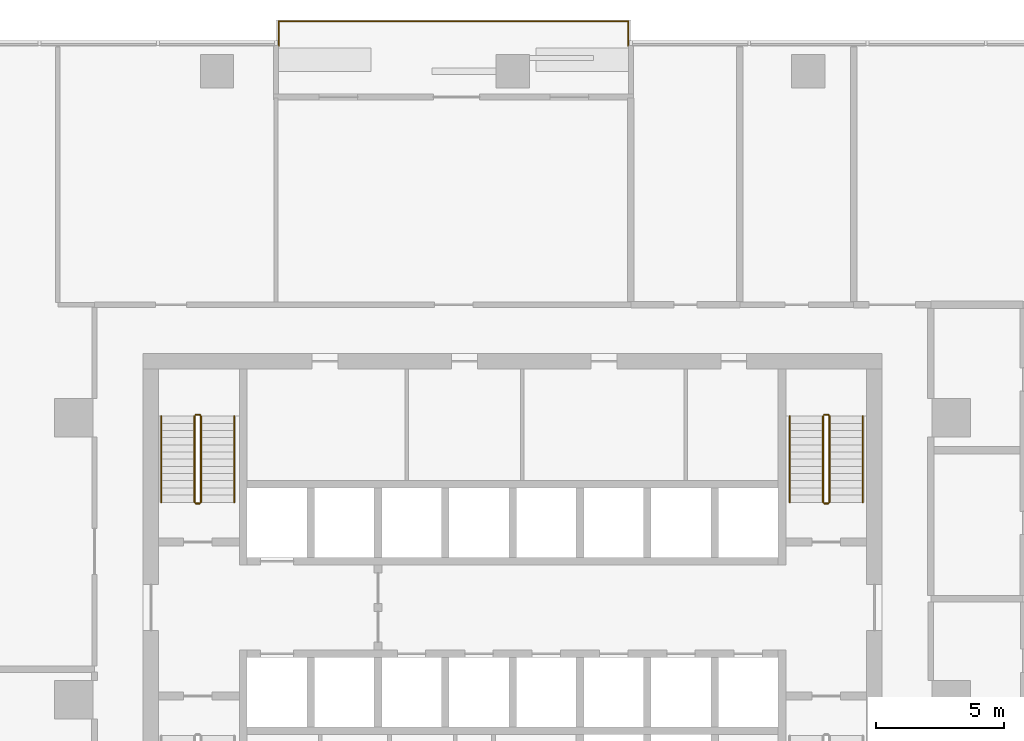
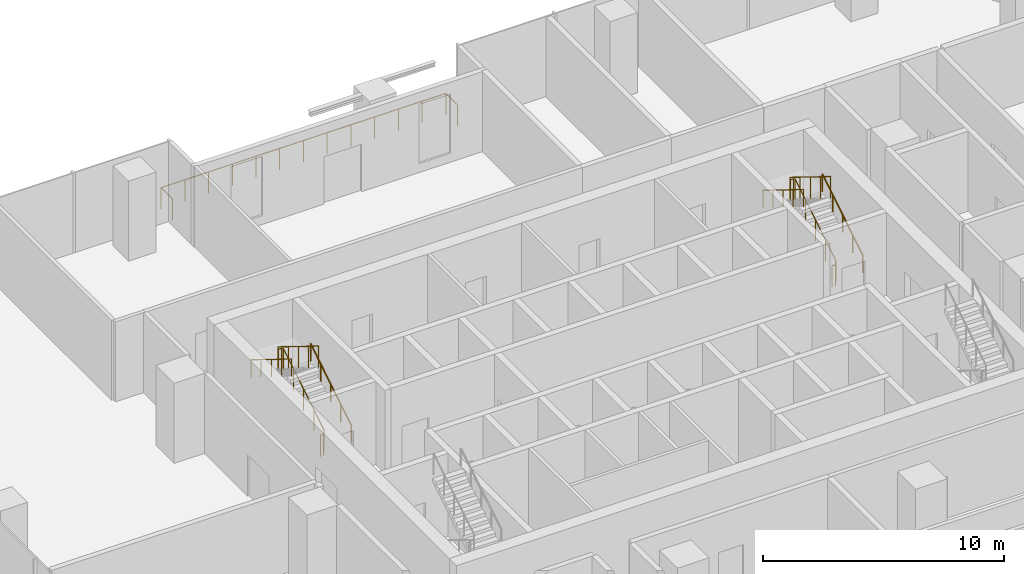
# One storey, part 14 of 14: 11 railings.
"""IFC4 building model written with IfcOpenShell, lengths in metres."""

from ifc_helpers import new_model, si_unit, direction, frame, origin, origin_2d, place, context, subcontext, project, spatial, circle, extrude, material, type_object, element, save


model = new_model("IFC4")

# Units and contexts
model_context = context("Model", 3, precision=1e-05, world=origin(), true_north=direction((0.0, 1.0)))
body_context = subcontext(model_context, "Body", "Model", "MODEL_VIEW")
ifc_project = project(units=[si_unit("LENGTHUNIT", "METRE"), si_unit("AREAUNIT", "SQUARE_METRE"), si_unit("VOLUMEUNIT", "CUBIC_METRE"), si_unit("PLANEANGLEUNIT", "RADIAN"), si_unit("MASSUNIT", "GRAM", prefix="KILO")], contexts=[model_context])

# Site, building, storey
site_placement = place(None, origin())
site = spatial("IfcSite", under=ifc_project, at=site_placement, CompositionType="ELEMENT")
building_placement = place(site_placement, origin())
building = spatial("IfcBuilding", under=site, at=building_placement, Name="Mopane Tessera Tower", CompositionType="ELEMENT")
storey_placement = place(building_placement, frame((0.0, 0.0, 126.10009765625)))
storey = spatial("IfcBuildingStorey", under=building, at=storey_placement, Name="L25", CompositionType="ELEMENT", Elevation=126.10009765625)

# Railings
ifc_material_1 = material(Name="Powder-coated steel balustrade", Category="steel")
railing_type_1 = type_object("IfcRailingType", Name="Escape stair guard 1100 mm", PredefinedType="GUARDRAIL", material=ifc_material_1)
railing_1_placement = place(storey_placement, frame((-12.14990234375, 7.699951171875, 0.173095703125)))
element("IfcRailing", 1, at=railing_1_placement, inside=storey, type_object=railing_type_1, Name="L25 ST2 stair guard 1", PredefinedType="GUARDRAIL", context=body_context, shape_type="SweptSolid", body=[
    extrude(circle(Radius=0.02392578125, at=origin_2d()), frame((0.0, 0.0, 1.076171875), z_axis=(0.0, 0.850623216509, 0.525775754039), x_axis=(-1.0, 0.0, 0.0)), (0.0, 0.0, 1.0), 3.9501953125),
    extrude(circle(Radius=0.02392578125, at=origin_2d()), frame((0.0, 3.360107421875, 3.15283203125), z_axis=(-0.707106781187, 0.707106781187, 0.0), x_axis=(-0.707106781187, -0.707106781187, 0.0)), (0.0, 0.0, 1.0), 0.07080078125),
    extrude(circle(Radius=0.02392578125, at=origin_2d()), frame((-0.050048828125, 3.41015625, 3.15283203125), z_axis=(-1.0, 0.0, 0.0), x_axis=(0.0, -1.0, 0.0)), (0.0, 0.0, 1.0), 0.150146484375),
    extrude(circle(Radius=0.02099609375, at=origin_2d()), origin(), (0.0, 0.0, 1.0), 1.052001953125),
    extrude(circle(Radius=0.02099609375, at=origin_2d()), frame((0.0, 0.840087890625, 0.519287109375)), (0.0, 0.0, 1.0), 1.052001953125),
    extrude(circle(Radius=0.02099609375, at=origin_2d()), frame((0.0, 1.68017578125, 1.03857421875)), (0.0, 0.0, 1.0), 1.052001953125),
    extrude(circle(Radius=0.02099609375, at=origin_2d()), frame((0.0, 2.52001953125, 1.5576171875)), (0.0, 0.0, 1.0), 1.052001953125),
    extrude(circle(Radius=0.02099609375, at=origin_2d()), frame((0.0, 3.360107421875, 2.076904296875)), (0.0, 0.0, 1.0), 1.052001953125),
    extrude(circle(Radius=0.02099609375, at=origin_2d()), frame((-0.050048828125, 3.41015625, 2.076904296875)), (0.0, 0.0, 1.0), 1.052001953125),
    extrude(circle(Radius=0.02099609375, at=origin_2d()), frame((-0.2001953125, 3.41015625, 2.076904296875)), (0.0, 0.0, 1.0), 1.052001953125),
])
railing_2_placement = place(storey_placement, frame((-12.39990234375, 11.06005859375, 2.423095703125)))
element("IfcRailing", 2, at=railing_2_placement, inside=storey, type_object=railing_type_1, Name="L25 ST2 stair guard 2", PredefinedType="GUARDRAIL", context=body_context, shape_type="SweptSolid", body=[
    extrude(circle(Radius=0.02392578125, at=origin_2d()), frame((0.0, 0.0, 1.076171875), z_axis=(0.0, -0.850623216509, 0.525775754039), x_axis=(1.0, 0.0, 0.0)), (0.0, 0.0, 1.0), 3.9501953125),
    extrude(circle(Radius=0.02099609375, at=origin_2d()), origin(), (0.0, 0.0, 1.0), 1.052001953125),
    extrude(circle(Radius=0.02099609375, at=origin_2d()), frame((0.0, -0.840087890625, 0.519287109375)), (0.0, 0.0, 1.0), 1.052001953125),
    extrude(circle(Radius=0.02099609375, at=origin_2d()), frame((0.0, -1.68017578125, 1.03857421875)), (0.0, 0.0, 1.0), 1.052001953125),
    extrude(circle(Radius=0.02099609375, at=origin_2d()), frame((0.0, -2.52001953125, 1.5576171875)), (0.0, 0.0, 1.0), 1.052001953125),
    extrude(circle(Radius=0.02099609375, at=origin_2d()), frame((0.0, -3.360107421875, 2.076904296875)), (0.0, 0.0, 1.0), 1.052001953125),
])
railing_3_placement = place(storey_placement, frame((-12.199951171875, 7.64990234375, 0.0)))
element("IfcRailing", 3, at=railing_3_placement, inside=storey, type_object=railing_type_1, Name="L25 ST2 stair guard 3", PredefinedType="GUARDRAIL", context=body_context, shape_type="SweptSolid", body=[
    extrude(circle(Radius=0.02392578125, at=origin_2d()), frame((0.0, 0.0, 1.076171875), z_axis=(-1.0, 0.0, 0.0), x_axis=(0.0, -1.0, 0.0)), (0.0, 0.0, 1.0), 0.150146484375),
    extrude(circle(Radius=0.02099609375, at=origin_2d()), origin(), (0.0, 0.0, 1.0), 1.052001953125),
    extrude(circle(Radius=0.02099609375, at=origin_2d()), frame((-0.150146484375, 0.0, 0.0)), (0.0, 0.0, 1.0), 1.052001953125),
])
railing_4_placement = place(storey_placement, frame((12.35009765625, 7.699951171875, 0.173095703125)))
element("IfcRailing", 4, at=railing_4_placement, inside=storey, type_object=railing_type_1, Name="L25 ST4 stair guard 1", PredefinedType="GUARDRAIL", context=body_context, shape_type="SweptSolid", body=[
    extrude(circle(Radius=0.02392578125, at=origin_2d()), frame((0.0, 0.0, 1.076171875), z_axis=(0.0, 0.850623216509, 0.525775754039), x_axis=(-1.0, 0.0, 0.0)), (0.0, 0.0, 1.0), 3.9501953125),
    extrude(circle(Radius=0.02392578125, at=origin_2d()), frame((0.0, 3.360107421875, 3.15283203125), z_axis=(-0.707106781187, 0.707106781187, 0.0), x_axis=(-0.707106781187, -0.707106781187, 0.0)), (0.0, 0.0, 1.0), 0.07080078125),
    extrude(circle(Radius=0.02392578125, at=origin_2d()), frame((-0.050048828125, 3.41015625, 3.15283203125), z_axis=(-1.0, 0.0, 0.0), x_axis=(0.0, -1.0, 0.0)), (0.0, 0.0, 1.0), 0.150146484375),
    extrude(circle(Radius=0.02099609375, at=origin_2d()), origin(), (0.0, 0.0, 1.0), 1.052001953125),
    extrude(circle(Radius=0.02099609375, at=origin_2d()), frame((0.0, 0.840087890625, 0.519287109375)), (0.0, 0.0, 1.0), 1.052001953125),
    extrude(circle(Radius=0.02099609375, at=origin_2d()), frame((0.0, 1.68017578125, 1.03857421875)), (0.0, 0.0, 1.0), 1.052001953125),
    extrude(circle(Radius=0.02099609375, at=origin_2d()), frame((0.0, 2.52001953125, 1.5576171875)), (0.0, 0.0, 1.0), 1.052001953125),
    extrude(circle(Radius=0.02099609375, at=origin_2d()), frame((0.0, 3.360107421875, 2.076904296875)), (0.0, 0.0, 1.0), 1.052001953125),
    extrude(circle(Radius=0.02099609375, at=origin_2d()), frame((-0.050048828125, 3.41015625, 2.076904296875)), (0.0, 0.0, 1.0), 1.052001953125),
    extrude(circle(Radius=0.02099609375, at=origin_2d()), frame((-0.2001953125, 3.41015625, 2.076904296875)), (0.0, 0.0, 1.0), 1.052001953125),
])
railing_5_placement = place(storey_placement, frame((12.10009765625, 11.06005859375, 2.423095703125)))
element("IfcRailing", 5, at=railing_5_placement, inside=storey, type_object=railing_type_1, Name="L25 ST4 stair guard 2", PredefinedType="GUARDRAIL", context=body_context, shape_type="SweptSolid", body=[
    extrude(circle(Radius=0.02392578125, at=origin_2d()), frame((0.0, 0.0, 1.076171875), z_axis=(0.0, -0.850623216509, 0.525775754039), x_axis=(1.0, 0.0, 0.0)), (0.0, 0.0, 1.0), 3.9501953125),
    extrude(circle(Radius=0.02099609375, at=origin_2d()), origin(), (0.0, 0.0, 1.0), 1.052001953125),
    extrude(circle(Radius=0.02099609375, at=origin_2d()), frame((0.0, -0.840087890625, 0.519287109375)), (0.0, 0.0, 1.0), 1.052001953125),
    extrude(circle(Radius=0.02099609375, at=origin_2d()), frame((0.0, -1.68017578125, 1.03857421875)), (0.0, 0.0, 1.0), 1.052001953125),
    extrude(circle(Radius=0.02099609375, at=origin_2d()), frame((0.0, -2.52001953125, 1.5576171875)), (0.0, 0.0, 1.0), 1.052001953125),
    extrude(circle(Radius=0.02099609375, at=origin_2d()), frame((0.0, -3.360107421875, 2.076904296875)), (0.0, 0.0, 1.0), 1.052001953125),
])
railing_6_placement = place(storey_placement, frame((12.300048828125, 7.64990234375, 0.0)))
element("IfcRailing", 6, at=railing_6_placement, inside=storey, type_object=railing_type_1, Name="L25 ST4 stair guard 3", PredefinedType="GUARDRAIL", context=body_context, shape_type="SweptSolid", body=[
    extrude(circle(Radius=0.02392578125, at=origin_2d()), frame((0.0, 0.0, 1.076171875), z_axis=(-1.0, 0.0, 0.0), x_axis=(0.0, -1.0, 0.0)), (0.0, 0.0, 1.0), 0.150146484375),
    extrude(circle(Radius=0.02099609375, at=origin_2d()), origin(), (0.0, 0.0, 1.0), 1.052001953125),
    extrude(circle(Radius=0.02099609375, at=origin_2d()), frame((-0.150146484375, 0.0, 0.0)), (0.0, 0.0, 1.0), 1.052001953125),
])
ifc_material_2 = material(Name="Powder-coated steel balustrade", Category="steel")
railing_type_2 = type_object("IfcRailingType", Name="Escape stair handrail 900 mm", PredefinedType="HANDRAIL", material=ifc_material_2)
railing_7_placement = place(storey_placement, frame((-10.85009765625, 7.699951171875, 0.173095703125)))
element("IfcRailing", 7, at=railing_7_placement, inside=storey, type_object=railing_type_2, Name="L25 ST2 stair handrail 1", PredefinedType="HANDRAIL", context=body_context, shape_type="SweptSolid", body=[
    extrude(circle(Radius=0.02392578125, at=origin_2d()), frame((0.0, 0.0, 0.8759765625), z_axis=(0.0, 0.850623216509, 0.525775754039), x_axis=(-1.0, 0.0, 0.0)), (0.0, 0.0, 1.0), 3.9501953125),
    extrude(circle(Radius=0.02099609375, at=origin_2d()), origin(), (0.0, 0.0, 1.0), 0.851806640625),
    extrude(circle(Radius=0.02099609375, at=origin_2d()), frame((0.0, 0.840087890625, 0.519287109375)), (0.0, 0.0, 1.0), 0.851806640625),
    extrude(circle(Radius=0.02099609375, at=origin_2d()), frame((0.0, 1.68017578125, 1.03857421875)), (0.0, 0.0, 1.0), 0.851806640625),
    extrude(circle(Radius=0.02099609375, at=origin_2d()), frame((0.0, 2.52001953125, 1.5576171875)), (0.0, 0.0, 1.0), 0.851806640625),
    extrude(circle(Radius=0.02099609375, at=origin_2d()), frame((0.0, 3.360107421875, 2.076904296875)), (0.0, 0.0, 1.0), 0.851806640625),
])
railing_8_placement = place(storey_placement, frame((-13.699951171875, 11.06005859375, 2.423095703125)))
element("IfcRailing", 8, at=railing_8_placement, inside=storey, type_object=railing_type_2, Name="L25 ST2 stair handrail 2", PredefinedType="HANDRAIL", context=body_context, shape_type="SweptSolid", body=[
    extrude(circle(Radius=0.02392578125, at=origin_2d()), frame((0.0, 0.0, 0.8759765625), z_axis=(0.0, -0.850623216509, 0.525775754039), x_axis=(1.0, 0.0, 0.0)), (0.0, 0.0, 1.0), 3.9501953125),
    extrude(circle(Radius=0.02099609375, at=origin_2d()), origin(), (0.0, 0.0, 1.0), 0.851806640625),
    extrude(circle(Radius=0.02099609375, at=origin_2d()), frame((0.0, -0.840087890625, 0.519287109375)), (0.0, 0.0, 1.0), 0.851806640625),
    extrude(circle(Radius=0.02099609375, at=origin_2d()), frame((0.0, -1.68017578125, 1.03857421875)), (0.0, 0.0, 1.0), 0.851806640625),
    extrude(circle(Radius=0.02099609375, at=origin_2d()), frame((0.0, -2.52001953125, 1.5576171875)), (0.0, 0.0, 1.0), 0.851806640625),
    extrude(circle(Radius=0.02099609375, at=origin_2d()), frame((0.0, -3.360107421875, 2.076904296875)), (0.0, 0.0, 1.0), 0.851806640625),
])
railing_9_placement = place(storey_placement, frame((13.64990234375, 7.699951171875, 0.173095703125)))
element("IfcRailing", 9, at=railing_9_placement, inside=storey, type_object=railing_type_2, Name="L25 ST4 stair handrail 1", PredefinedType="HANDRAIL", context=body_context, shape_type="SweptSolid", body=[
    extrude(circle(Radius=0.02392578125, at=origin_2d()), frame((0.0, 0.0, 0.8759765625), z_axis=(0.0, 0.850623216509, 0.525775754039), x_axis=(-1.0, 0.0, 0.0)), (0.0, 0.0, 1.0), 3.9501953125),
    extrude(circle(Radius=0.02099609375, at=origin_2d()), origin(), (0.0, 0.0, 1.0), 0.851806640625),
    extrude(circle(Radius=0.02099609375, at=origin_2d()), frame((0.0, 0.840087890625, 0.519287109375)), (0.0, 0.0, 1.0), 0.851806640625),
    extrude(circle(Radius=0.02099609375, at=origin_2d()), frame((0.0, 1.68017578125, 1.03857421875)), (0.0, 0.0, 1.0), 0.851806640625),
    extrude(circle(Radius=0.02099609375, at=origin_2d()), frame((0.0, 2.52001953125, 1.5576171875)), (0.0, 0.0, 1.0), 0.851806640625),
    extrude(circle(Radius=0.02099609375, at=origin_2d()), frame((0.0, 3.360107421875, 2.076904296875)), (0.0, 0.0, 1.0), 0.851806640625),
])
railing_10_placement = place(storey_placement, frame((10.800048828125, 11.06005859375, 2.423095703125)))
element("IfcRailing", 10, at=railing_10_placement, inside=storey, type_object=railing_type_2, Name="L25 ST4 stair handrail 2", PredefinedType="HANDRAIL", context=body_context, shape_type="SweptSolid", body=[
    extrude(circle(Radius=0.02392578125, at=origin_2d()), frame((0.0, 0.0, 0.8759765625), z_axis=(0.0, -0.850623216509, 0.525775754039), x_axis=(1.0, 0.0, 0.0)), (0.0, 0.0, 1.0), 3.9501953125),
    extrude(circle(Radius=0.02099609375, at=origin_2d()), origin(), (0.0, 0.0, 1.0), 0.851806640625),
    extrude(circle(Radius=0.02099609375, at=origin_2d()), frame((0.0, -0.840087890625, 0.519287109375)), (0.0, 0.0, 1.0), 0.851806640625),
    extrude(circle(Radius=0.02099609375, at=origin_2d()), frame((0.0, -1.68017578125, 1.03857421875)), (0.0, 0.0, 1.0), 0.851806640625),
    extrude(circle(Radius=0.02099609375, at=origin_2d()), frame((0.0, -2.52001953125, 1.5576171875)), (0.0, 0.0, 1.0), 0.851806640625),
    extrude(circle(Radius=0.02099609375, at=origin_2d()), frame((0.0, -3.360107421875, 2.076904296875)), (0.0, 0.0, 1.0), 0.851806640625),
])
ifc_material_3 = material(Name="Stainless steel S316", Category="steel")
railing_type_3 = type_object("IfcRailingType", Name="Terrace guard 1100", PredefinedType="GUARDRAIL", material=ifc_material_3)
railing_11_placement = place(storey_placement, frame((4.510009765625, 25.5, 0.0)))
element("IfcRailing", 11, at=railing_11_placement, inside=storey, type_object=railing_type_3, Name="e:nw:L25:N1:guard", PredefinedType="GUARDRAIL", context=body_context, shape_type="SweptSolid", body=[
    extrude(circle(Radius=0.02392578125, at=origin_2d()), frame((0.0, 0.0, 1.076171875), z_axis=(0.0, 1.0, 0.0), x_axis=(-1.0, 0.0, 0.0)), (0.0, 0.0, 1.0), 0.949951171875),
    extrude(circle(Radius=0.02392578125, at=origin_2d()), frame((0.0, 0.949951171875, 1.076171875), z_axis=(-1.0, 0.0, 0.0), x_axis=(0.0, -1.0, 0.0)), (0.0, 0.0, 1.0), 13.630126953125),
    extrude(circle(Radius=0.02392578125, at=origin_2d()), frame((-13.630126953125, 0.949951171875, 1.076171875), z_axis=(0.0, -1.0, 0.0), x_axis=(1.0, 0.0, 0.0)), (0.0, 0.0, 1.0), 0.949951171875),
    extrude(circle(Radius=0.02099609375, at=origin_2d()), origin(), (0.0, 0.0, 1.0), 1.052001953125),
    extrude(circle(Radius=0.02099609375, at=origin_2d()), frame((0.0, 0.949951171875, 0.0)), (0.0, 0.0, 1.0), 1.052001953125),
    extrude(circle(Radius=0.02099609375, at=origin_2d()), frame((-1.1357421875, 0.949951171875, 0.0)), (0.0, 0.0, 1.0), 1.052001953125),
    extrude(circle(Radius=0.02099609375, at=origin_2d()), frame((-2.271728515625, 0.949951171875, 0.0)), (0.0, 0.0, 1.0), 1.052001953125),
    extrude(circle(Radius=0.02099609375, at=origin_2d()), frame((-3.407470703125, 0.949951171875, 0.0)), (0.0, 0.0, 1.0), 1.052001953125),
    extrude(circle(Radius=0.02099609375, at=origin_2d()), frame((-4.54345703125, 0.949951171875, 0.0)), (0.0, 0.0, 1.0), 1.052001953125),
    extrude(circle(Radius=0.02099609375, at=origin_2d()), frame((-5.67919921875, 0.949951171875, 0.0)), (0.0, 0.0, 1.0), 1.052001953125),
    extrude(circle(Radius=0.02099609375, at=origin_2d()), frame((-6.81494140625, 0.949951171875, 0.0)), (0.0, 0.0, 1.0), 1.052001953125),
    extrude(circle(Radius=0.02099609375, at=origin_2d()), frame((-7.950927734375, 0.949951171875, 0.0)), (0.0, 0.0, 1.0), 1.052001953125),
    extrude(circle(Radius=0.02099609375, at=origin_2d()), frame((-9.086669921875, 0.949951171875, 0.0)), (0.0, 0.0, 1.0), 1.052001953125),
    extrude(circle(Radius=0.02099609375, at=origin_2d()), frame((-10.22265625, 0.949951171875, 0.0)), (0.0, 0.0, 1.0), 1.052001953125),
    extrude(circle(Radius=0.02099609375, at=origin_2d()), frame((-11.3583984375, 0.949951171875, 0.0)), (0.0, 0.0, 1.0), 1.052001953125),
    extrude(circle(Radius=0.02099609375, at=origin_2d()), frame((-12.494384765625, 0.949951171875, 0.0)), (0.0, 0.0, 1.0), 1.052001953125),
    extrude(circle(Radius=0.02099609375, at=origin_2d()), frame((-13.630126953125, 0.949951171875, 0.0)), (0.0, 0.0, 1.0), 1.052001953125),
    extrude(circle(Radius=0.02099609375, at=origin_2d()), frame((-13.630126953125, 0.0, 0.0)), (0.0, 0.0, 1.0), 1.052001953125),
])

save(model, "model.ifc")
